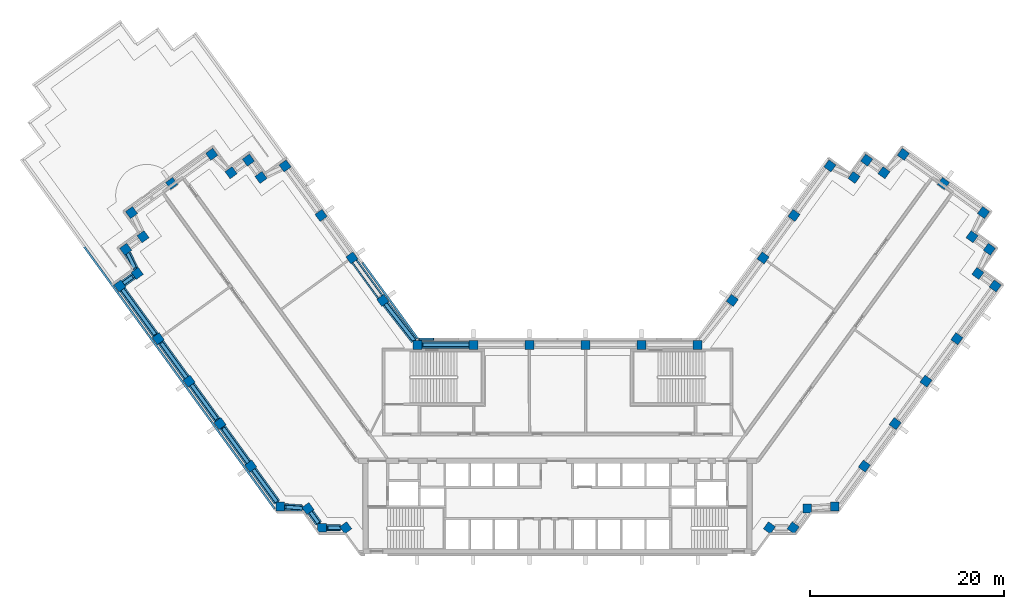
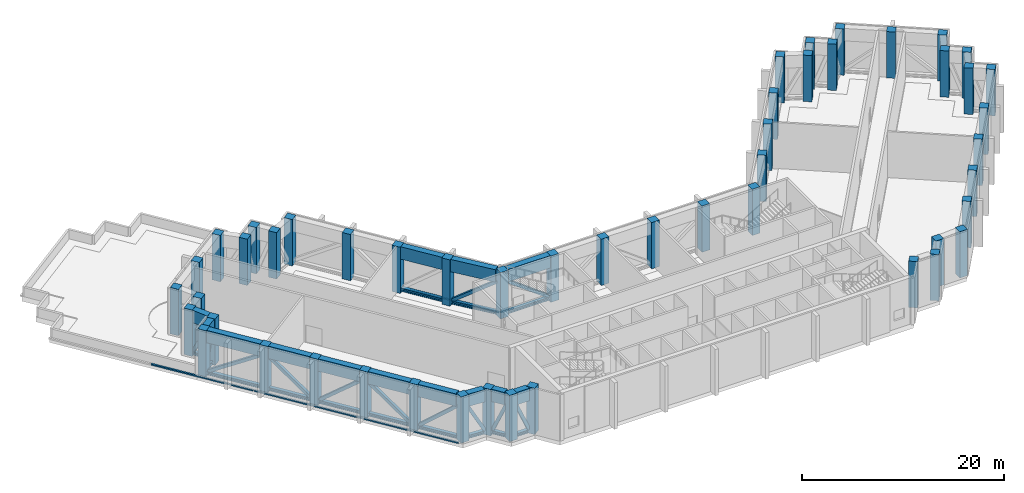
"""IFC4 building model written with IfcOpenShell, lengths in metres."""

from ifc_helpers import new_model, si_unit, direction, frame, origin, origin_2d, place, context, subcontext, project, spatial, rectangle, hollow_rectangle, i_section, extrude, material, material_profile, profile_set, type_object, element, aggregate, save


model = new_model("IFC4")

# Units and contexts
model_context = context("Model", 3, precision=1e-05, world=origin(), true_north=direction((0.0, 1.0)))
body_context = subcontext(model_context, "Body", "Model", "MODEL_VIEW")
ifc_project = project(units=[si_unit("LENGTHUNIT", "METRE"), si_unit("AREAUNIT", "SQUARE_METRE"), si_unit("VOLUMEUNIT", "CUBIC_METRE"), si_unit("PLANEANGLEUNIT", "RADIAN"), si_unit("MASSUNIT", "GRAM", prefix="KILO")], contexts=[model_context])

# Site, building, storey
site_placement = place(None, origin())
site = spatial("IfcSite", under=ifc_project, at=site_placement, CompositionType="ELEMENT")
building_placement = place(site_placement, origin())
building = spatial("IfcBuilding", under=site, at=building_placement, Name="Quipu Civic Tower", CompositionType="ELEMENT")
storey_1_placement = place(building_placement, frame((0.0, 0.0, 133.0)))
storey_1 = spatial("IfcBuildingStorey", under=building, at=storey_1_placement, Name="L31", CompositionType="ELEMENT", Elevation=133.0)

# Columns
ifc_material_1 = material(Name="Concrete C60/75", Category="concrete")
ifc_material_profile_1 = material_profile(ifc_material_1, rectangle(XDim=0.89990234375, YDim=0.89990234375, at=origin_2d()), Name="RC900x900")
ifc_profile_set_1 = profile_set([ifc_material_profile_1], Name="Concrete C60/75")
column_type = type_object("IfcColumnType", Name="Perimeter column RC 900x900 C60/75", PredefinedType="COLUMN", material=ifc_profile_set_1)
for number, where, z_axis, x_axis, name in (
    (1, (-17.9736328125, 15.074951171875, 0.0), (0.0, 0.0, 1.0), (-0.587785252292, 0.809016994375, 0.0), "Column L31 W-IN-01"),
    (2, (-21.1474609375, 19.44384765625, 0.0), (0.0, 0.0, 1.0), (-0.587785252292, 0.809016994375, 0.0), "Column L31 W-IN-02"),
    (3, (-24.3212890625, 23.8125, 0.0), (0.0, 0.0, 1.0), (-0.587785252292, 0.809016994375, 0.0), "Column L31 W-IN-03"),
    (4, (-28.02001953125, 28.905029296875, 0.0), (0.0, 0.0, 1.0), (-0.809016994375, -0.587785252292, 0.0), "Column L31 T-Wi.0-W34"),
    (5, (-30.498779296875, 27.72265625, 0.0), (0.0, 0.0, 1.0), (-0.809016994375, -0.587785252292, 0.0), "Column L31 T-Wi.1-W34"),
    (6, (-31.794921875, 29.5, 0.0), (0.0, 0.0, 1.0), (-0.587785252292, 0.809016994375, 0.0), "Column L31 T-Wi.2-W34"),
    (7, (-33.573974609375, 28.20947265625, 0.0), (0.0, 0.0, 1.0), (-0.587785252292, 0.809016994375, 0.0), "Column L31 T-Wi.3-W34"),
    (8, (-35.56494140625, 30.10009765625, 0.0), (0.0, 0.0, 1.0), (-0.809016994375, -0.587785252292, 0.0), "Column L31 T-Wi.4-W34"),
    (9, (-39.690673828125, 27.10205078125, 0.0), (0.0, 0.0, 1.0), (-0.809016994375, -0.587785252292, 0.0), "Column L31 TIP-W-01-W34"),
    (10, (-43.81494140625, 24.10498046875, 0.0), (0.0, 0.0, 1.0), (-0.809016994375, -0.587785252292, 0.0), "Column L31 T-Wo.0-W34"),
    (11, (-42.635009765625, 21.626220703125, 0.0), (0.0, 0.0, 1.0), (-0.809016994375, -0.587785252292, 0.0), "Column L31 T-Wo.1-W34"),
    (12, (-44.4150390625, 20.3349609375, 0.0), (0.0, 0.0, 1.0), (0.587785252292, -0.809016994375, 0.0), "Column L31 T-Wo.2-W34"),
    (13, (-43.23095703125, 17.8544921875, 0.0), (0.0, 0.0, 1.0), (0.587785252292, -0.809016994375, 0.0), "Column L31 T-Wo.3-W34"),
    (14, (-45.010009765625, 16.56005859375, 0.0), (0.0, 0.0, 1.0), (0.587785252292, -0.809016994375, 0.0), "Column L31 T-Wo.4-W34"),
    (15, (-41.0703125, 11.137451171875, 0.0), (0.0, 0.0, 1.0), (0.587785252292, -0.809016994375, 0.0), "Column L31 W-OUT-04"),
    (16, (-37.896240234375, 6.768798828125, 0.0), (0.0, 0.0, 1.0), (0.587785252292, -0.809016994375, 0.0), "Column L31 W-OUT-03"),
    (17, (-34.722412109375, 2.39990234375, 0.0), (0.0, 0.0, 1.0), (0.587785252292, -0.809016994375, 0.0), "Column L31 W-OUT-02"),
    (18, (-31.54833984375, -1.96875, 0.0), (0.0, 0.0, 1.0), (0.587785252292, -0.809016994375, 0.0), "Column L31 W-OUT-01"),
    (19, (-28.52490234375, -6.1298828125, 0.0), (0.0, 0.0, 1.0), (1.0, 0.0, 0.0), "Column L31 J-Wo.0"),
    (20, (-25.67431640625, -6.3369140625, 0.0), (0.0, 0.0, 1.0), (0.587785252292, -0.809016994375, 0.0), "Column L31 J-Wo.1"),
    (21, (-24.235107421875, -8.31494140625, 0.0), (0.0, 0.0, 1.0), (1.0, 0.0, 0.0), "Column L31 J-Wo.2"),
    (22, (-21.791748046875, -8.31494140625, 0.0), (0.0, 0.0, 1.0), (0.587785252292, -0.809016994375, 0.0), "Column L31 J-Wo.3"),
    (23, (21.791748046875, -8.31494140625, 0.0), (0.0, 0.0, 1.0), (0.587785252292, 0.809016994375, 0.0), "Column L31 J-Eo.1"),
    (24, (24.235107421875, -8.31494140625, 0.0), (0.0, 0.0, 1.0), (0.587785252292, 0.809016994375, 0.0), "Column L31 J-Eo.2"),
    (25, (25.67431640625, -6.3369140625, 0.0), (0.0, 0.0, 1.0), (1.0, 0.0, 0.0), "Column L31 J-Eo.3"),
    (26, (28.52490234375, -6.1298828125, 0.0), (0.0, 0.0, 1.0), (1.0, 0.0, 0.0), "Column L31 J-Eo.4"),
    (27, (31.54833984375, -1.96875, 0.0), (0.0, 0.0, 1.0), (0.587785252292, 0.809016994375, 0.0), "Column L31 E-OUT-01"),
    (28, (34.722412109375, 2.39990234375, 0.0), (0.0, 0.0, 1.0), (0.587785252292, 0.809016994375, 0.0), "Column L31 E-OUT-02"),
    (29, (37.896240234375, 6.768798828125, 0.0), (0.0, 0.0, 1.0), (0.587785252292, 0.809016994375, 0.0), "Column L31 E-OUT-03"),
    (30, (41.0703125, 11.137451171875, 0.0), (0.0, 0.0, 1.0), (0.587785252292, 0.809016994375, 0.0), "Column L31 E-OUT-04"),
    (31, (45.010009765625, 16.56005859375, 0.0), (0.0, 0.0, 1.0), (0.587785252292, 0.809016994375, 0.0), "Column L31 T-Eo.0-E34"),
    (32, (43.23095703125, 17.8544921875, 0.0), (0.0, 0.0, 1.0), (0.587785252292, 0.809016994375, 0.0), "Column L31 T-Eo.1-E34"),
    (33, (44.4150390625, 20.3349609375, 0.0), (0.0, 0.0, 1.0), (0.587785252292, 0.809016994375, 0.0), "Column L31 T-Eo.2-E34"),
    (34, (42.635009765625, 21.626220703125, 0.0), (0.0, 0.0, 1.0), (-0.809016994375, 0.587785252292, 0.0), "Column L31 T-Eo.3-E34"),
    (35, (43.81494140625, 24.10498046875, 0.0), (0.0, 0.0, 1.0), (-0.809016994375, 0.587785252292, 0.0), "Column L31 T-Eo.4-E34"),
    (36, (39.690673828125, 27.10205078125, 0.0), (0.0, 0.0, 1.0), (-0.809016994375, 0.587785252292, 0.0), "Column L31 TIP-E-01-E34"),
    (37, (35.56494140625, 30.10009765625, 0.0), (0.0, 0.0, 1.0), (-0.587785252292, -0.809016994375, 0.0), "Column L31 T-Ei.0-E34"),
    (38, (33.573974609375, 28.20947265625, 0.0), (0.0, 0.0, 1.0), (-0.809016994375, 0.587785252292, 0.0), "Column L31 T-Ei.1-E34"),
    (39, (31.794921875, 29.5, 0.0), (0.0, 0.0, 1.0), (-0.587785252292, -0.809016994375, 0.0), "Column L31 T-Ei.2-E34"),
    (40, (30.498779296875, 27.72265625, 0.0), (0.0, 0.0, 1.0), (-0.809016994375, 0.587785252292, 0.0), "Column L31 T-Ei.3-E34"),
    (41, (28.02001953125, 28.905029296875, 0.0), (0.0, 0.0, 1.0), (-0.809016994375, 0.587785252292, 0.0), "Column L31 T-Ei.4-E34"),
    (42, (24.3212890625, 23.8125, 0.0), (0.0, 0.0, 1.0), (-0.587785252292, -0.809016994375, 0.0), "Column L31 E-IN-03"),
    (43, (21.1474609375, 19.44384765625, 0.0), (0.0, 0.0, 1.0), (-0.587785252292, -0.809016994375, 0.0), "Column L31 E-IN-02"),
    (44, (17.9736328125, 15.074951171875, 0.0), (0.0, 0.0, 1.0), (-0.587785252292, -0.809016994375, 0.0), "Column L31 E-IN-01"),
    (45, (14.395263671875, 10.5, 0.0), (0.0, 0.0, 1.0), (-1.0, 0.0, 0.0), "Column L31 J-Ei.0"),
    (46, (8.63720703125, 10.5, 0.0), (0.0, 0.0, 1.0), (-1.0, 0.0, 0.0), "Column L31 FRONT-01"),
    (47, (2.87890625, 10.5, 0.0), (0.0, 0.0, 1.0), (-1.0, 0.0, 0.0), "Column L31 FRONT-02"),
    (48, (-2.87890625, 10.5, 0.0), (0.0, 0.0, 1.0), (-1.0, 0.0, 0.0), "Column L31 FRONT-03"),
    (49, (-8.63720703125, 10.5, 0.0), (0.0, 0.0, 1.0), (-1.0, 0.0, 0.0), "Column L31 FRONT-04"),
    (50, (-14.395263671875, 10.5, 0.0), (0.0, 0.0, 1.0), (-1.0, 0.0, 0.0), "Column L31 J-Wi.0"),
):
    element("IfcColumn", number, at=place(storey_1_placement, frame(where, z_axis=z_axis, x_axis=x_axis)), inside=storey_1, type_object=column_type, Name=name, PredefinedType="COLUMN", context=body_context, shape_type="SweptSolid", body=[
        extrude(rectangle(XDim=0.89990234375, YDim=0.89990234375, at=origin_2d()), origin(), (0.0, 0.0, 1.0), 5.60009765625),
    ])

# Beams
ifc_material_2 = material(Name="Steel ASTM A992 Grade 50 (fy 345 MPa)", Category="steel")
ifc_material_profile_2 = material_profile(ifc_material_2, i_section(OverallWidth=0.39892578125, OverallDepth=0.393310546875, WebThickness=0.022705078125, FlangeThickness=0.03662109375, at=origin_2d()), Name="W360x287")
ifc_profile_set_2 = profile_set([ifc_material_profile_2], Name="Steel ASTM A992 Grade 50 (fy 345 MPa)")
beam_type_1 = type_object("IfcBeamType", Name="Belt truss bottom chord W360x287", PredefinedType="BEAM", material=ifc_profile_set_2)
beam_1_placement = place(storey_1_placement, frame((-18.238037109375, 15.43896484375, 0.296630859375), z_axis=(-0.587716763865, 0.809066749701, 0.0), x_axis=(-0.809066749701, -0.587716763865, 0.0)))
element("IfcBeam", 51, at=beam_1_placement, inside=storey_1, type_object=beam_type_1, Name="Truss bottom chord L31 W-IN-01 to W-IN-02", PredefinedType="BEAM", context=body_context, shape_type="SweptSolid", body=[
    extrude(i_section(OverallWidth=0.39892578125, OverallDepth=0.393310546875, WebThickness=0.022705078125, FlangeThickness=0.03662109375, at=origin_2d()), origin(), (0.0, 0.0, 1.0), 4.5),
])
beam_2_placement = place(storey_1_placement, frame((-44.2177734375, 19.922119140625, 0.296630859375), z_axis=(0.430677818234, -0.902505743406, 0.0), x_axis=(0.902505743406, 0.430677818234, 0.0)))
element("IfcBeam", 52, at=beam_2_placement, inside=storey_1, type_object=beam_type_1, Name="Truss bottom chord L31 T-Wo.2-W34 to T-Wo.3-W34", PredefinedType="BEAM", context=body_context, shape_type="SweptSolid", body=[
    extrude(i_section(OverallWidth=0.39892578125, OverallDepth=0.393310546875, WebThickness=0.022705078125, FlangeThickness=0.03662109375, at=origin_2d()), origin(), (0.0, 0.0, 1.0), 1.833251953125),
])
beam_3_placement = place(storey_1_placement, frame((-43.594970703125, 17.58984375, 0.296630859375), z_axis=(-0.808524921146, -0.588461937499, 0.0), x_axis=(0.588461937499, -0.808524921146, 0.0)))
element("IfcBeam", 53, at=beam_3_placement, inside=storey_1, type_object=beam_type_1, Name="Truss bottom chord L31 T-Wo.3-W34 to T-Wo.4-W34", PredefinedType="BEAM", context=body_context, shape_type="SweptSolid", body=[
    extrude(i_section(OverallWidth=0.39892578125, OverallDepth=0.393310546875, WebThickness=0.022705078125, FlangeThickness=0.03662109375, at=origin_2d()), origin(), (0.0, 0.0, 1.0), 1.30029296875),
])
beam_4_placement = place(storey_1_placement, frame((-44.74560546875, 16.196044921875, 0.296630859375), z_axis=(0.587766353983, -0.809030724463, 0.0), x_axis=(0.809030724463, 0.587766353983, 0.0)))
element("IfcBeam", 54, at=beam_4_placement, inside=storey_1, type_object=beam_type_1, Name="Truss bottom chord L31 T-Wo.4-W34 to W-OUT-04", PredefinedType="BEAM", context=body_context, shape_type="SweptSolid", body=[
    extrude(i_section(OverallWidth=0.39892578125, OverallDepth=0.393310546875, WebThickness=0.022705078125, FlangeThickness=0.03662109375, at=origin_2d()), origin(), (0.0, 0.0, 1.0), 5.802734375),
])
beam_5_placement = place(storey_1_placement, frame((-40.805908203125, 10.7734375, 0.296630859375), z_axis=(0.587778073121, -0.809022210299, 0.0), x_axis=(0.809022210299, 0.587778073121, 0.0)))
element("IfcBeam", 55, at=beam_5_placement, inside=storey_1, type_object=beam_type_1, Name="Truss bottom chord L31 W-OUT-04 to W-OUT-03", PredefinedType="BEAM", context=body_context, shape_type="SweptSolid", body=[
    extrude(i_section(OverallWidth=0.39892578125, OverallDepth=0.393310546875, WebThickness=0.022705078125, FlangeThickness=0.03662109375, at=origin_2d()), origin(), (0.0, 0.0, 1.0), 4.5),
])
beam_6_placement = place(storey_1_placement, frame((-37.6318359375, 6.404541015625, 0.296630859375), z_axis=(0.587803872688, -0.809003465539, 0.0), x_axis=(0.809003465539, 0.587803872688, 0.0)))
element("IfcBeam", 56, at=beam_6_placement, inside=storey_1, type_object=beam_type_1, Name="Truss bottom chord L31 W-OUT-03 to W-OUT-02", PredefinedType="BEAM", context=body_context, shape_type="SweptSolid", body=[
    extrude(i_section(OverallWidth=0.39892578125, OverallDepth=0.393310546875, WebThickness=0.022705078125, FlangeThickness=0.03662109375, at=origin_2d()), origin(), (0.0, 0.0, 1.0), 4.499755859375),
])
beam_7_placement = place(storey_1_placement, frame((-34.457763671875, 2.035888671875, 0.296630859375), z_axis=(0.587778073121, -0.809022210299, 0.0), x_axis=(0.809022210299, 0.587778073121, 0.0)))
element("IfcBeam", 57, at=beam_7_placement, inside=storey_1, type_object=beam_type_1, Name="Truss bottom chord L31 W-OUT-02 to W-OUT-01", PredefinedType="BEAM", context=body_context, shape_type="SweptSolid", body=[
    extrude(i_section(OverallWidth=0.39892578125, OverallDepth=0.393310546875, WebThickness=0.022705078125, FlangeThickness=0.03662109375, at=origin_2d()), origin(), (0.0, 0.0, 1.0), 4.5),
])
beam_8_placement = place(storey_1_placement, frame((-31.28369140625, -2.332763671875, 0.296630859375), z_axis=(0.587750565781, -0.809042194464, 0.0), x_axis=(0.809042194464, 0.587750565781, 0.0)))
element("IfcBeam", 58, at=beam_8_placement, inside=storey_1, type_object=beam_type_1, Name="Truss bottom chord L31 W-OUT-01 to J-Wo.0", PredefinedType="BEAM", context=body_context, shape_type="SweptSolid", body=[
    extrude(i_section(OverallWidth=0.39892578125, OverallDepth=0.393310546875, WebThickness=0.022705078125, FlangeThickness=0.03662109375, at=origin_2d()), origin(), (0.0, 0.0, 1.0), 4.13720703125),
])
beam_9_placement = place(storey_1_placement, frame((-28.074951171875, -6.16259765625, 0.296630859375), z_axis=(0.997367229877, -0.072516265536, 0.0), x_axis=(0.072516265536, 0.997367229877, 0.0)))
element("IfcBeam", 59, at=beam_9_placement, inside=storey_1, type_object=beam_type_1, Name="Truss bottom chord L31 J-Wo.0 to J-Wo.1", PredefinedType="BEAM", context=body_context, shape_type="SweptSolid", body=[
    extrude(i_section(OverallWidth=0.39892578125, OverallDepth=0.393310546875, WebThickness=0.022705078125, FlangeThickness=0.03662109375, at=origin_2d()), origin(), (0.0, 0.0, 1.0), 1.818115234375),
])
beam_10_placement = place(storey_1_placement, frame((-25.40966796875, -6.700927734375, 0.296630859375), z_axis=(0.588433824377, -0.808545381738, 0.0), x_axis=(0.808545381738, 0.588433824377, 0.0)))
element("IfcBeam", 60, at=beam_10_placement, inside=storey_1, type_object=beam_type_1, Name="Truss bottom chord L31 J-Wo.1 to J-Wo.2", PredefinedType="BEAM", context=body_context, shape_type="SweptSolid", body=[
    extrude(i_section(OverallWidth=0.39892578125, OverallDepth=0.393310546875, WebThickness=0.022705078125, FlangeThickness=0.03662109375, at=origin_2d()), origin(), (0.0, 0.0, 1.0), 1.439697265625),
])
beam_11_placement = place(storey_1_placement, frame((-23.784912109375, -8.31494140625, 0.296630859375), z_axis=(1.0, 0.0, 0.0), x_axis=(0.0, 1.0, 0.0)))
element("IfcBeam", 61, at=beam_11_placement, inside=storey_1, type_object=beam_type_1, Name="Truss bottom chord L31 J-Wo.2 to J-Wo.3", PredefinedType="BEAM", context=body_context, shape_type="SweptSolid", body=[
    extrude(i_section(OverallWidth=0.39892578125, OverallDepth=0.393310546875, WebThickness=0.022705078125, FlangeThickness=0.03662109375, at=origin_2d()), origin(), (0.0, 0.0, 1.0), 1.436767578125),
])
beam_12_placement = place(storey_1_placement, frame((-9.087158203125, 10.5, 0.296630859375), z_axis=(-1.0, 0.0, 0.0), x_axis=(0.0, -1.0, 0.0)))
element("IfcBeam", 62, at=beam_12_placement, inside=storey_1, type_object=beam_type_1, Name="Truss bottom chord L31 FRONT-04 to J-Wi.0", PredefinedType="BEAM", context=body_context, shape_type="SweptSolid", body=[
    extrude(i_section(OverallWidth=0.39892578125, OverallDepth=0.393310546875, WebThickness=0.022705078125, FlangeThickness=0.03662109375, at=origin_2d()), origin(), (0.0, 0.0, 1.0), 4.858154296875),
])
beam_13_placement = place(storey_1_placement, frame((-14.7470703125, 10.949951171875, 0.296630859375), z_axis=(-0.616123961998, 0.787649200756, 0.0), x_axis=(-0.787649200756, -0.616123961998, 0.0)))
element("IfcBeam", 63, at=beam_13_placement, inside=storey_1, type_object=beam_type_1, Name="Truss bottom chord L31 J-Wi.0 to W-IN-01", PredefinedType="BEAM", context=body_context, shape_type="SweptSolid", body=[
    extrude(i_section(OverallWidth=0.39892578125, OverallDepth=0.393310546875, WebThickness=0.022705078125, FlangeThickness=0.03662109375, at=origin_2d()), origin(), (0.0, 0.0, 1.0), 4.78662109375),
])

# Members
ifc_material_3 = material(Name="Steel ASTM A500 Grade C (fy 345 MPa)", Category="steel")
ifc_material_profile_3 = material_profile(ifc_material_3, hollow_rectangle(XDim=0.355712890625, YDim=0.355712890625, WallThickness=0.015869140625, at=origin_2d()), Name="HSS356x356x16")
ifc_profile_set_3 = profile_set([ifc_material_profile_3], Name="Steel ASTM A500 Grade C (fy 345 MPa)")
member_type_1 = type_object("IfcMemberType", Name="Belt truss diagonal HSS356x356x16", PredefinedType="BRACE", material=ifc_profile_set_3)
member_1_placement = place(storey_1_placement, frame((-44.22119140625, 19.928955078125, 0.4931640625), z_axis=(0.196491189771, -0.41159543216, 0.889932813513), x_axis=(0.902440195661, 0.430815149751, 0.0)))
element("IfcMember", 64, at=member_1_placement, inside=storey_1, type_object=member_type_1, Name="Truss diagonal L31 T-Wo.2-W34 to T-Wo.3-W34", PredefinedType="BRACE", context=body_context, shape_type="SweptSolid", body=[
    extrude(hollow_rectangle(XDim=0.355712890625, YDim=0.355712890625, WallThickness=0.015869140625, at=origin_2d()), origin(), (0.0, 0.0, 1.0), 4.052978515625),
])
member_2_placement = place(storey_1_placement, frame((-43.594970703125, 17.58984375, 4.10009765625), z_axis=(-0.274187065853, -0.199559281092, -0.940743081957), x_axis=(0.588461937499, -0.808524921146, 0.0)))
element("IfcMember", 65, at=member_2_placement, inside=storey_1, type_object=member_type_1, Name="Truss diagonal L31 T-Wo.3-W34 to T-Wo.4-W34", PredefinedType="BRACE", context=body_context, shape_type="SweptSolid", body=[
    extrude(hollow_rectangle(XDim=0.355712890625, YDim=0.355712890625, WallThickness=0.015869140625, at=origin_2d()), origin(), (0.0, 0.0, 1.0), 3.834228515625),
])
member_3_placement = place(storey_1_placement, frame((-44.74560546875, 16.196044921875, 0.4931640625), z_axis=(0.499187650513, -0.687106609286, 0.52791684672), x_axis=(0.809030724463, 0.587766353983, 0.0)))
element("IfcMember", 66, at=member_3_placement, inside=storey_1, type_object=member_type_1, Name="Truss diagonal L31 T-Wo.4-W34 to W-OUT-04", PredefinedType="BRACE", context=body_context, shape_type="SweptSolid", body=[
    extrude(hollow_rectangle(XDim=0.355712890625, YDim=0.355712890625, WallThickness=0.015869140625, at=origin_2d()), origin(), (0.0, 0.0, 1.0), 6.832275390625),
])
for number, where, z_axis, x_axis, name in (
    (67, (-40.805908203125, 10.7734375, 4.10009765625), (0.458633884018, -0.631267166188, -0.625425235599), (0.809022210299, 0.587778073121, 0.0), "Truss diagonal L31 W-OUT-04 to W-OUT-03"),
    (68, (-37.6318359375, 6.404541015625, 0.4931640625), (0.458646140321, -0.631241701895, 0.625441949151), (0.809003465539, 0.587803872688, 0.0), "Truss diagonal L31 W-OUT-03 to W-OUT-02"),
    (69, (-34.457763671875, 2.035888671875, 4.10009765625), (0.458633884018, -0.631267166188, -0.625425235599), (0.809022210299, 0.587778073121, 0.0), "Truss diagonal L31 W-OUT-02 to W-OUT-01"),
):
    element("IfcMember", number, at=place(storey_1_placement, frame(where, z_axis=z_axis, x_axis=x_axis)), inside=storey_1, type_object=member_type_1, Name=name, PredefinedType="BRACE", context=body_context, shape_type="SweptSolid", body=[
        extrude(hollow_rectangle(XDim=0.355712890625, YDim=0.355712890625, WallThickness=0.015869140625, at=origin_2d()), origin(), (0.0, 0.0, 1.0), 5.76708984375),
    ])
member_4_placement = place(storey_1_placement, frame((-31.28369140625, -2.332763671875, 0.4931640625), z_axis=(0.447838676212, -0.616435734621, 0.647647670551), x_axis=(0.809034531764, 0.58776111339, 0.0)))
element("IfcMember", 70, at=member_4_placement, inside=storey_1, type_object=member_type_1, Name="Truss diagonal L31 W-OUT-01 to J-Wo.0", PredefinedType="BRACE", context=body_context, shape_type="SweptSolid", body=[
    extrude(hollow_rectangle(XDim=0.355712890625, YDim=0.355712890625, WallThickness=0.015869140625, at=origin_2d()), origin(), (0.0, 0.0, 1.0), 5.5693359375),
])
member_5_placement = place(storey_1_placement, frame((-28.076171875, -6.16259765625, 4.10009765625), z_axis=(0.475833785617, -0.034561748899, -0.878855900576), x_axis=(0.072443235904, 0.997372537005, 0.0)))
element("IfcMember", 71, at=member_5_placement, inside=storey_1, type_object=member_type_1, Name="Truss diagonal L31 J-Wo.0 to J-Wo.1", PredefinedType="BRACE", context=body_context, shape_type="SweptSolid", body=[
    extrude(hollow_rectangle(XDim=0.355712890625, YDim=0.355712890625, WallThickness=0.015869140625, at=origin_2d()), origin(), (0.0, 0.0, 1.0), 4.10400390625),
])
member_6_placement = place(storey_1_placement, frame((-25.40966796875, -6.700927734375, 0.4931640625), z_axis=(0.231859394097, -0.318581152984, 0.919101338446), x_axis=(0.808538039962, 0.58844391231, 0.0)))
element("IfcMember", 72, at=member_6_placement, inside=storey_1, type_object=member_type_1, Name="Truss diagonal L31 J-Wo.1 to J-Wo.2", PredefinedType="BRACE", context=body_context, shape_type="SweptSolid", body=[
    extrude(hollow_rectangle(XDim=0.355712890625, YDim=0.355712890625, WallThickness=0.015869140625, at=origin_2d()), origin(), (0.0, 0.0, 1.0), 3.92431640625),
])
member_7_placement = place(storey_1_placement, frame((-23.784912109375, -8.31494140625, 4.10009765625), z_axis=(0.393355935662, 0.0, -0.919386266963), x_axis=(0.0, 1.0, 0.0)))
element("IfcMember", 73, at=member_7_placement, inside=storey_1, type_object=member_type_1, Name="Truss diagonal L31 J-Wo.2 to J-Wo.3", PredefinedType="BRACE", context=body_context, shape_type="SweptSolid", body=[
    extrude(hollow_rectangle(XDim=0.355712890625, YDim=0.355712890625, WallThickness=0.015869140625, at=origin_2d()), origin(), (0.0, 0.0, 1.0), 3.923095703125),
])
member_8_placement = place(storey_1_placement, frame((-9.087158203125, 10.5, 0.4931640625), z_axis=(-0.802900545877, 0.0, 0.596113003909), x_axis=(0.0, -1.0, 0.0)))
element("IfcMember", 74, at=member_8_placement, inside=storey_1, type_object=member_type_1, Name="Truss diagonal L31 FRONT-04 to J-Wi.0", PredefinedType="BRACE", context=body_context, shape_type="SweptSolid", body=[
    extrude(hollow_rectangle(XDim=0.355712890625, YDim=0.355712890625, WallThickness=0.015869140625, at=origin_2d()), origin(), (0.0, 0.0, 1.0), 6.05078125),
])
member_9_placement = place(storey_1_placement, frame((-14.67236328125, 10.8544921875, 4.10009765625), z_axis=(-0.496461259627, 0.634705639124, -0.592178156768), x_axis=(-0.787664522221, -0.616104374627, 0.0)))
element("IfcMember", 75, at=member_9_placement, inside=storey_1, type_object=member_type_1, Name="Truss diagonal L31 J-Wi.0 to W-IN-01", PredefinedType="BRACE", context=body_context, shape_type="SweptSolid", body=[
    extrude(hollow_rectangle(XDim=0.355712890625, YDim=0.355712890625, WallThickness=0.015869140625, at=origin_2d()), origin(), (0.0, 0.0, 1.0), 6.091064453125),
])

# Beams
ifc_material_4 = material(Name="Steel ASTM A572 Grade 50 (fy 345 MPa)", Category="steel")
ifc_material_profile_4 = material_profile(ifc_material_4, hollow_rectangle(XDim=0.699951171875, YDim=1.5, WallThickness=0.050048828125, at=origin_2d()), Name="BX1500x700x50")
ifc_profile_set_4 = profile_set([ifc_material_profile_4], Name="Steel ASTM A572 Grade 50 (fy 345 MPa)")
beam_type_2 = type_object("IfcBeamType", Name="Belt truss top chord BX1500x700x50", PredefinedType="BEAM", material=ifc_profile_set_4)
beam_14_placement = place(storey_1_placement, frame((-18.238037109375, 15.43896484375, 4.85009765625), z_axis=(-0.587716763865, 0.809066749701, 0.0), x_axis=(-0.809066749701, -0.587716763865, 0.0)))
element("IfcBeam", 76, at=beam_14_placement, inside=storey_1, type_object=beam_type_2, Name="Truss top chord L31 W-IN-01 to W-IN-02", PredefinedType="BEAM", context=body_context, shape_type="SweptSolid", body=[
    extrude(hollow_rectangle(XDim=0.699951171875, YDim=1.5, WallThickness=0.050048828125, at=origin_2d()), origin(), (0.0, 0.0, 1.0), 4.5),
])
beam_15_placement = place(storey_1_placement, frame((-44.2177734375, 19.922119140625, 4.85009765625), z_axis=(0.430677818234, -0.902505743406, 0.0), x_axis=(0.902505743406, 0.430677818234, 0.0)))
element("IfcBeam", 77, at=beam_15_placement, inside=storey_1, type_object=beam_type_2, Name="Truss top chord L31 T-Wo.2-W34 to T-Wo.3-W34", PredefinedType="BEAM", context=body_context, shape_type="SweptSolid", body=[
    extrude(hollow_rectangle(XDim=0.699951171875, YDim=1.5, WallThickness=0.050048828125, at=origin_2d()), origin(), (0.0, 0.0, 1.0), 1.833251953125),
])
beam_16_placement = place(storey_1_placement, frame((-43.594970703125, 17.58984375, 4.85009765625), z_axis=(-0.808524921146, -0.588461937499, 0.0), x_axis=(0.588461937499, -0.808524921146, 0.0)))
element("IfcBeam", 78, at=beam_16_placement, inside=storey_1, type_object=beam_type_2, Name="Truss top chord L31 T-Wo.3-W34 to T-Wo.4-W34", PredefinedType="BEAM", context=body_context, shape_type="SweptSolid", body=[
    extrude(hollow_rectangle(XDim=0.699951171875, YDim=1.5, WallThickness=0.050048828125, at=origin_2d()), origin(), (0.0, 0.0, 1.0), 1.30029296875),
])
beam_17_placement = place(storey_1_placement, frame((-44.74560546875, 16.196044921875, 4.85009765625), z_axis=(0.587766353983, -0.809030724463, 0.0), x_axis=(0.809030724463, 0.587766353983, 0.0)))
element("IfcBeam", 79, at=beam_17_placement, inside=storey_1, type_object=beam_type_2, Name="Truss top chord L31 T-Wo.4-W34 to W-OUT-04", PredefinedType="BEAM", context=body_context, shape_type="SweptSolid", body=[
    extrude(hollow_rectangle(XDim=0.699951171875, YDim=1.5, WallThickness=0.050048828125, at=origin_2d()), origin(), (0.0, 0.0, 1.0), 5.802734375),
])
beam_18_placement = place(storey_1_placement, frame((-40.805908203125, 10.7734375, 4.85009765625), z_axis=(0.587778073121, -0.809022210299, 0.0), x_axis=(0.809022210299, 0.587778073121, 0.0)))
element("IfcBeam", 80, at=beam_18_placement, inside=storey_1, type_object=beam_type_2, Name="Truss top chord L31 W-OUT-04 to W-OUT-03", PredefinedType="BEAM", context=body_context, shape_type="SweptSolid", body=[
    extrude(hollow_rectangle(XDim=0.699951171875, YDim=1.5, WallThickness=0.050048828125, at=origin_2d()), origin(), (0.0, 0.0, 1.0), 4.5),
])
beam_19_placement = place(storey_1_placement, frame((-37.6318359375, 6.404541015625, 4.85009765625), z_axis=(0.587803872688, -0.809003465539, 0.0), x_axis=(0.809003465539, 0.587803872688, 0.0)))
element("IfcBeam", 81, at=beam_19_placement, inside=storey_1, type_object=beam_type_2, Name="Truss top chord L31 W-OUT-03 to W-OUT-02", PredefinedType="BEAM", context=body_context, shape_type="SweptSolid", body=[
    extrude(hollow_rectangle(XDim=0.699951171875, YDim=1.5, WallThickness=0.050048828125, at=origin_2d()), origin(), (0.0, 0.0, 1.0), 4.499755859375),
])
beam_20_placement = place(storey_1_placement, frame((-34.457763671875, 2.035888671875, 4.85009765625), z_axis=(0.587778073121, -0.809022210299, 0.0), x_axis=(0.809022210299, 0.587778073121, 0.0)))
element("IfcBeam", 82, at=beam_20_placement, inside=storey_1, type_object=beam_type_2, Name="Truss top chord L31 W-OUT-02 to W-OUT-01", PredefinedType="BEAM", context=body_context, shape_type="SweptSolid", body=[
    extrude(hollow_rectangle(XDim=0.699951171875, YDim=1.5, WallThickness=0.050048828125, at=origin_2d()), origin(), (0.0, 0.0, 1.0), 4.5),
])
beam_21_placement = place(storey_1_placement, frame((-31.28369140625, -2.332763671875, 4.85009765625), z_axis=(0.587750565781, -0.809042194464, 0.0), x_axis=(0.809042194464, 0.587750565781, 0.0)))
element("IfcBeam", 83, at=beam_21_placement, inside=storey_1, type_object=beam_type_2, Name="Truss top chord L31 W-OUT-01 to J-Wo.0", PredefinedType="BEAM", context=body_context, shape_type="SweptSolid", body=[
    extrude(hollow_rectangle(XDim=0.699951171875, YDim=1.5, WallThickness=0.050048828125, at=origin_2d()), origin(), (0.0, 0.0, 1.0), 4.13720703125),
])
beam_22_placement = place(storey_1_placement, frame((-28.074951171875, -6.16259765625, 4.85009765625), z_axis=(0.997367229877, -0.072516265536, 0.0), x_axis=(0.072516265536, 0.997367229877, 0.0)))
element("IfcBeam", 84, at=beam_22_placement, inside=storey_1, type_object=beam_type_2, Name="Truss top chord L31 J-Wo.0 to J-Wo.1", PredefinedType="BEAM", context=body_context, shape_type="SweptSolid", body=[
    extrude(hollow_rectangle(XDim=0.699951171875, YDim=1.5, WallThickness=0.050048828125, at=origin_2d()), origin(), (0.0, 0.0, 1.0), 1.818115234375),
])
beam_23_placement = place(storey_1_placement, frame((-25.40966796875, -6.700927734375, 4.85009765625), z_axis=(0.588433824377, -0.808545381738, 0.0), x_axis=(0.808545381738, 0.588433824377, 0.0)))
element("IfcBeam", 85, at=beam_23_placement, inside=storey_1, type_object=beam_type_2, Name="Truss top chord L31 J-Wo.1 to J-Wo.2", PredefinedType="BEAM", context=body_context, shape_type="SweptSolid", body=[
    extrude(hollow_rectangle(XDim=0.699951171875, YDim=1.5, WallThickness=0.050048828125, at=origin_2d()), origin(), (0.0, 0.0, 1.0), 1.439697265625),
])
beam_24_placement = place(storey_1_placement, frame((-23.784912109375, -8.31494140625, 4.85009765625), z_axis=(1.0, 0.0, 0.0), x_axis=(0.0, 1.0, 0.0)))
element("IfcBeam", 86, at=beam_24_placement, inside=storey_1, type_object=beam_type_2, Name="Truss top chord L31 J-Wo.2 to J-Wo.3", PredefinedType="BEAM", context=body_context, shape_type="SweptSolid", body=[
    extrude(hollow_rectangle(XDim=0.699951171875, YDim=1.5, WallThickness=0.050048828125, at=origin_2d()), origin(), (0.0, 0.0, 1.0), 1.436767578125),
])
beam_25_placement = place(storey_1_placement, frame((-9.087158203125, 10.5, 4.85009765625), z_axis=(-1.0, 0.0, 0.0), x_axis=(0.0, -1.0, 0.0)))
element("IfcBeam", 87, at=beam_25_placement, inside=storey_1, type_object=beam_type_2, Name="Truss top chord L31 FRONT-04 to J-Wi.0", PredefinedType="BEAM", context=body_context, shape_type="SweptSolid", body=[
    extrude(hollow_rectangle(XDim=0.699951171875, YDim=1.5, WallThickness=0.050048828125, at=origin_2d()), origin(), (0.0, 0.0, 1.0), 4.858154296875),
])
beam_26_placement = place(storey_1_placement, frame((-14.7470703125, 10.949951171875, 4.85009765625), z_axis=(-0.616123961998, 0.787649200756, 0.0), x_axis=(-0.787649200756, -0.616123961998, 0.0)))
element("IfcBeam", 88, at=beam_26_placement, inside=storey_1, type_object=beam_type_2, Name="Truss top chord L31 J-Wi.0 to W-IN-01", PredefinedType="BEAM", context=body_context, shape_type="SweptSolid", body=[
    extrude(hollow_rectangle(XDim=0.699951171875, YDim=1.5, WallThickness=0.050048828125, at=origin_2d()), origin(), (0.0, 0.0, 1.0), 4.78662109375),
])

# Storey
storey_2_placement = place(building_placement, frame((0.0, 0.0, 125.0)))
storey_2 = spatial("IfcBuildingStorey", under=building, at=storey_2_placement, Name="L29", CompositionType="ELEMENT", Elevation=125.0)

# Curtain wall, member
ifc_material_5 = material(Name="Insulated glass unit", Category="glass")
curtain_wall_type = type_object("IfcCurtainWallType", Name="Office curtain wall CW1", PredefinedType="NOTDEFINED", material=ifc_material_5)
curtain_wall_1_placement = place(storey_2_placement, origin())
curtain_wall_1 = element("IfcCurtainWall", 89, at=curtain_wall_1_placement, inside=storey_2, type_object=curtain_wall_type, Name="Office curtain wall CW1 L28 run 1", PredefinedType="NOTDEFINED")
ifc_material_6 = material(Name="Anodised aluminium", Category="aluminium")
ifc_material_profile_5 = material_profile(ifc_material_6, rectangle(XDim=0.199951171875, YDim=0.159912109375, at=origin_2d()), Name="RECT 200x160")
ifc_profile_set_5 = profile_set([ifc_material_profile_5], Name="Anodised aluminium")
member_type_2 = type_object("IfcMemberType", Name="Transom CW1", PredefinedType="USERDEFINED", material=ifc_profile_set_5)
member_10_placement = place(storey_1_placement, frame((-14.39111328125, 11.164794921875, 0.0), z_axis=(-0.58779220199, 0.809011945079, 0.0), x_axis=(-0.809011945079, -0.58779220199, 0.0)))
member_10 = element("IfcMember", 90, at=member_10_placement, inside=storey_1, type_object=member_type_2, Name="CW1 transom 1.4", ObjectType="TRANSOM", PredefinedType="USERDEFINED", context=body_context, shape_type="SweptSolid", body=[
    extrude(rectangle(XDim=0.199951171875, YDim=0.159912109375, at=origin_2d()), origin(), (0.0, 0.0, 1.0), 9.64111328125),
])
aggregate(curtain_wall_1, [member_10])

# Curtain wall, members
curtain_wall_2_placement = place(storey_2_placement, origin())
curtain_wall_2 = element("IfcCurtainWall", 91, at=curtain_wall_2_placement, inside=storey_2, type_object=curtain_wall_type, Name="Office curtain wall CW1 L28 run 11", PredefinedType="NOTDEFINED")
member_11_placement = place(storey_1_placement, frame((-48.68115234375, 20.591552734375, 0.0), z_axis=(0.587795037589, -0.80900988485, 0.0), x_axis=(0.80900988485, 0.587795037589, 0.0)))
member_11 = element("IfcMember", 92, at=member_11_placement, inside=storey_1, type_object=member_type_2, Name="CW1 transom 2.4", ObjectType="TRANSOM", PredefinedType="USERDEFINED", context=body_context, shape_type="SweptSolid", body=[
    extrude(rectangle(XDim=0.199951171875, YDim=0.159912109375, at=origin_2d()), origin(), (0.0, 0.0, 1.0), 11.062744140625),
])
member_12_placement = place(storey_1_placement, frame((-42.131591796875, 11.576904296875, 0.0), z_axis=(0.587795037589, -0.80900988485, 0.0), x_axis=(0.80900988485, 0.587795037589, 0.0)))
member_12 = element("IfcMember", 93, at=member_12_placement, inside=storey_1, type_object=member_type_2, Name="CW1 transom 3.4", ObjectType="TRANSOM", PredefinedType="USERDEFINED", context=body_context, shape_type="SweptSolid", body=[
    extrude(rectangle(XDim=0.199951171875, YDim=0.159912109375, at=origin_2d()), origin(), (0.0, 0.0, 1.0), 11.062744140625),
])
member_13_placement = place(storey_1_placement, frame((-35.58203125, 2.562255859375, 0.0), z_axis=(0.587779179422, -0.809021406539, 0.0), x_axis=(0.809021406539, 0.587779179422, 0.0)))
member_13 = element("IfcMember", 94, at=member_13_placement, inside=storey_1, type_object=member_type_2, Name="CW1 transom 4.4", ObjectType="TRANSOM", PredefinedType="USERDEFINED", context=body_context, shape_type="SweptSolid", body=[
    extrude(rectangle(XDim=0.199951171875, YDim=0.159912109375, at=origin_2d()), origin(), (0.0, 0.0, 1.0), 11.02294921875),
])
aggregate(curtain_wall_2, [member_11, member_12, member_13])

# Curtain wall, member
curtain_wall_3_placement = place(storey_2_placement, origin())
curtain_wall_3 = element("IfcCurtainWall", 95, at=curtain_wall_3_placement, inside=storey_2, type_object=curtain_wall_type, Name="Office curtain wall CW1 L28 run 35", PredefinedType="NOTDEFINED")
member_14_placement = place(storey_1_placement, frame((-12.735107421875, 11.10009765625, 0.0), z_axis=(-1.0, 0.0, 0.0), x_axis=(0.0, -1.0, 0.0)))
member_14 = element("IfcMember", 96, at=member_14_placement, inside=storey_1, type_object=member_type_2, Name="CW1 transom 1.4", ObjectType="TRANSOM", PredefinedType="USERDEFINED", context=body_context, shape_type="SweptSolid", body=[
    extrude(rectangle(XDim=0.199951171875, YDim=0.159912109375, at=origin_2d()), origin(), (0.0, 0.0, 1.0), 1.529052734375),
])
aggregate(curtain_wall_3, [member_14])

save(model, "model.ifc")
